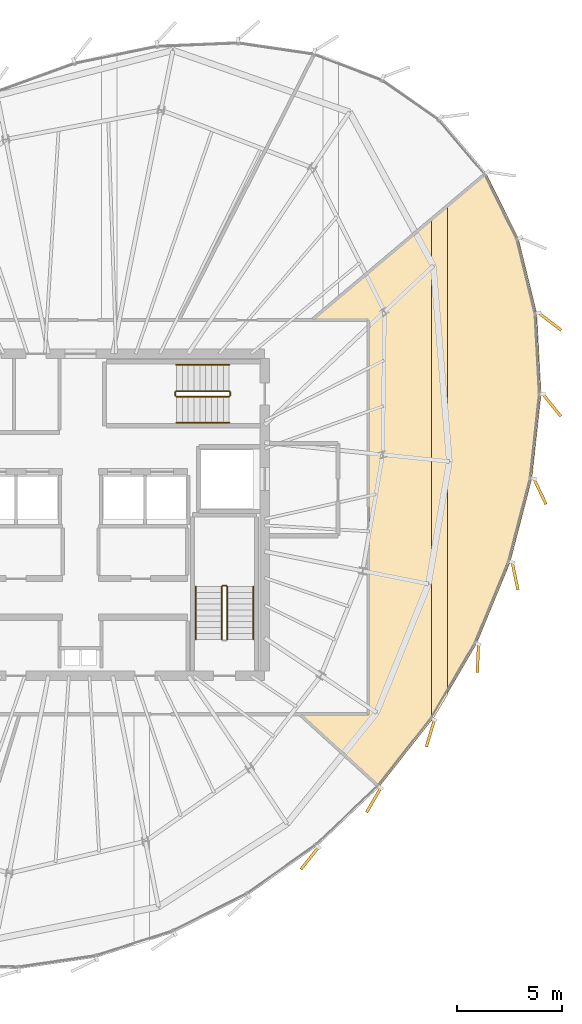
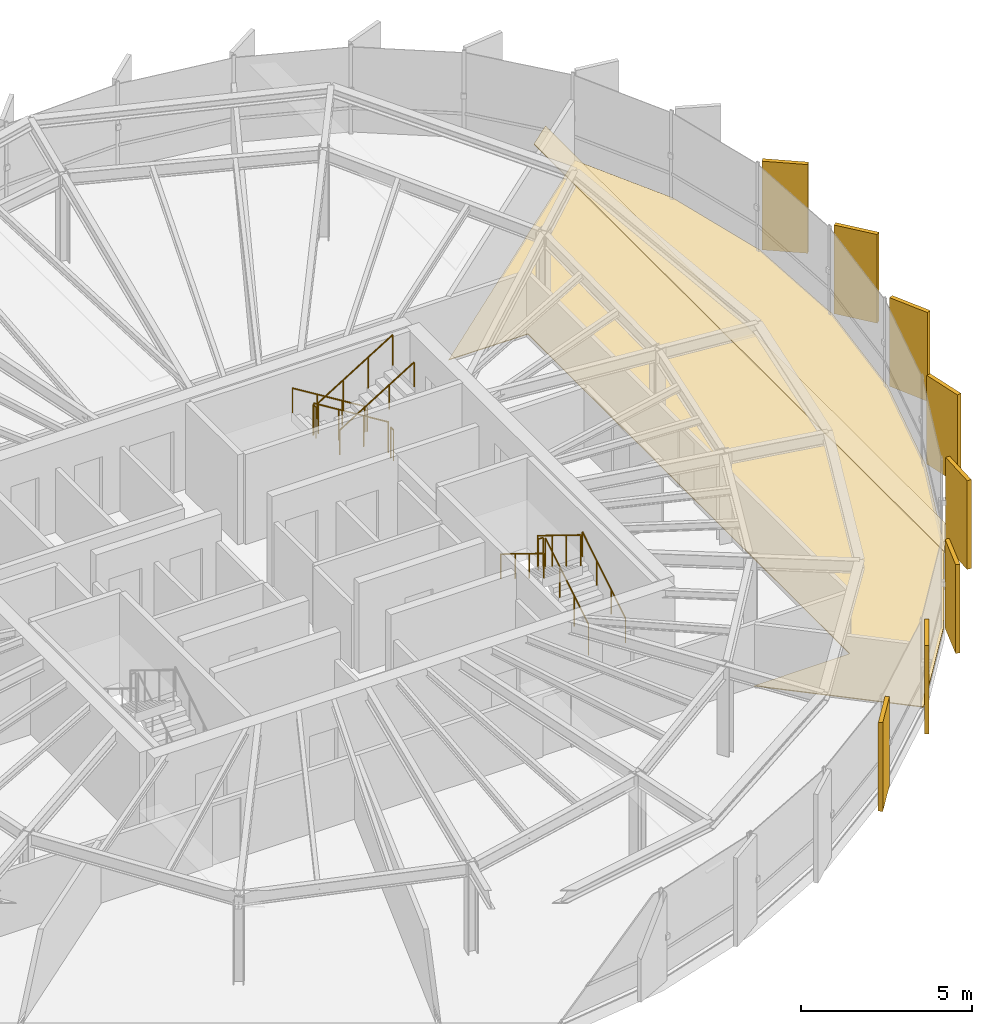
# One storey, part 35 of 36: 11 railings, 10 coverings.
"""IFC4 building model written with IfcOpenShell, lengths in metres."""

from ifc_helpers import new_model, si_unit, direction, frame, origin, origin_2d, place, context, subcontext, project, spatial, polyline, rectangle, circle, outline, extrude, source, transform, mapped, material, layer, layer_set, type_object, element, save


model = new_model("IFC4")

# Units and contexts
model_context = context("Model", 3, precision=1e-05, world=origin(), true_north=direction((0.0, 1.0)))
body_context = subcontext(model_context, "Body", "Model", "MODEL_VIEW")
ifc_project = project(units=[si_unit("LENGTHUNIT", "METRE"), si_unit("AREAUNIT", "SQUARE_METRE"), si_unit("VOLUMEUNIT", "CUBIC_METRE"), si_unit("PLANEANGLEUNIT", "RADIAN"), si_unit("MASSUNIT", "GRAM", prefix="KILO"), si_unit("THERMODYNAMICTEMPERATUREUNIT", "KELVIN")], contexts=[model_context])

# Site, building, storey
site_placement = place(None, origin())
site = spatial("IfcSite", under=ifc_project, at=site_placement, CompositionType="ELEMENT")
building_placement = place(site_placement, origin())
building = spatial("IfcBuilding", under=site, at=building_placement, Name="Kethvar Cultural Tower", CompositionType="ELEMENT")
storey_placement = place(building_placement, frame((0.0, 0.0, 228.39990234375)))
storey = spatial("IfcBuildingStorey", under=building, at=storey_placement, Name="L59", CompositionType="ELEMENT", Elevation=228.39990234375)

# Coverings
ifc_material_1 = material(Name="Acoustic Mineral Fibre Ceiling")
ifc_layer_1 = layer(ifc_material_1, 0.0400390625, Name="Acoustic Mineral Fibre Ceiling")
ifc_layer_set_1 = layer_set([ifc_layer_1], Name="Acoustic Mineral Fibre Ceiling (40 mm)")
covering_type_1 = type_object("IfcCoveringType", Name="CV-ACOUSTIC-CEIL", PredefinedType="CEILING", material=ifc_layer_set_1)
covering_1_placement = place(storey_placement, frame((0.0, 0.0, 2.780029296875)))
element("IfcCovering", 1, at=covering_1_placement, inside=storey, type_object=covering_type_1, Name="L59 Room 03 Acoustic Ceiling Panel", PredefinedType="CEILING", context=body_context, shape_type="SweptSolid", body=[
    extrude(outline(polyline([(64.32373046875, 19.182861328125), (63.57373046875, 17.931884765625), (63.57373046875, 41.94970703125), (64.32373046875, 42.581298828125), (64.32373046875, 19.182861328125)])), origin(), (0.0, 0.0, 1.0), 0.0400390625),
])
ifc_material_2 = material(Name="Architectural Oak Timber", Category="wood")
ifc_layer_2 = layer(ifc_material_2, 0.02490234375, Name="Architectural Oak Timber", Category="wood")
ifc_layer_set_2 = layer_set([ifc_layer_2], Name="Architectural Oak Timber (25 mm)")
covering_type_2 = type_object("IfcCoveringType", Name="CV-OAK-FLOOR", PredefinedType="FLOORING", material=ifc_layer_set_2)
covering_2_placement = place(storey_placement, origin())
element("IfcCovering", 2, at=covering_2_placement, inside=storey, type_object=covering_type_2, Name="L59 Room 03 Floor Finish", PredefinedType="FLOORING", context=body_context, shape_type="SweptSolid", body=[
    extrude(outline(polyline([(67.71728515625, 40.9873046875), (68.59228515625, 37.420654296875), (68.79833984375, 33.553466796875), (68.359619140625, 29.537109375), (67.316650390625, 25.52392578125), (65.71923828125, 21.656005859375), (63.620361328125, 18.0556640625), (61.08154296875, 14.831787109375), (57.326171875, 18.2490234375), (60.570068359375, 18.26904296875), (60.56982421875, 37.10205078125), (57.89990234375, 37.1201171875), (66.18310546875, 44.094482421875), (67.71728515625, 40.9873046875)])), origin(), (0.0, 0.0, 1.0), 0.025146484375),
])

# Railings
ifc_material_3 = material(Name="Steel S355J2", Category="steel")
railing_type_1 = type_object("IfcRailingType", Name="RL-STAIR-GUARD", PredefinedType="BALUSTRADE", material=ifc_material_3)
railing_1_placement = place(storey_placement, frame((53.81005859375, 21.85009765625, 0.172607421875)))
element("IfcRailing", 3, at=railing_1_placement, inside=storey, type_object=railing_type_1, Name="L59 ST-02 stair guard 1", PredefinedType="BALUSTRADE", context=body_context, shape_type="SweptSolid", body=[
    extrude(circle(Radius=0.02392578125, at=origin_2d()), frame((0.0, 0.0, 1.09619140625), z_axis=(0.0, 0.851400495292, 0.524516154772), x_axis=(-1.0, 0.0, 0.0)), (0.0, 0.0, 1.0), 2.9599609375),
    extrude(circle(Radius=0.02099609375, at=origin_2d()), origin(), (0.0, 0.0, 1.0), 1.072021484375),
    extrude(circle(Radius=0.02099609375, at=origin_2d()), frame((0.0, 0.840087890625, 0.517578125)), (0.0, 0.0, 1.0), 1.072021484375),
    extrude(circle(Radius=0.02099609375, at=origin_2d()), frame((0.0, 1.679931640625, 1.034912109375)), (0.0, 0.0, 1.0), 1.072021484375),
    extrude(circle(Radius=0.02099609375, at=origin_2d()), frame((0.0, 2.52001953125, 1.552490234375)), (0.0, 0.0, 1.0), 1.072021484375),
])
railing_2_placement = place(storey_placement, frame((53.760009765625, 24.419921875, 1.72509765625)))
element("IfcRailing", 4, at=railing_2_placement, inside=storey, type_object=railing_type_1, Name="L59 ST-02 stair guard 2", PredefinedType="BALUSTRADE", context=body_context, shape_type="SweptSolid", body=[
    extrude(circle(Radius=0.02392578125, at=origin_2d()), frame((0.0, 0.0, 1.09619140625), z_axis=(-1.0, 0.0, 0.0), x_axis=(0.0, -1.0, 0.0)), (0.0, 0.0, 1.0), 0.159912109375),
    extrude(circle(Radius=0.02099609375, at=origin_2d()), origin(), (0.0, 0.0, 1.0), 1.072021484375),
    extrude(circle(Radius=0.02099609375, at=origin_2d()), frame((-0.159912109375, 0.0, 0.0)), (0.0, 0.0, 1.0), 1.072021484375),
])
railing_3_placement = place(storey_placement, frame((53.550048828125, 24.3701171875, 1.897705078125)))
element("IfcRailing", 5, at=railing_3_placement, inside=storey, type_object=railing_type_1, Name="L59 ST-02 stair guard 3", PredefinedType="BALUSTRADE", context=body_context, shape_type="SweptSolid", body=[
    extrude(circle(Radius=0.02392578125, at=origin_2d()), frame((0.0, 0.0, 1.09619140625), z_axis=(0.0, -0.851400495292, 0.524516154772), x_axis=(1.0, 0.0, 0.0)), (0.0, 0.0, 1.0), 2.9599609375),
    extrude(circle(Radius=0.02099609375, at=origin_2d()), origin(), (0.0, 0.0, 1.0), 1.072021484375),
    extrude(circle(Radius=0.02099609375, at=origin_2d()), frame((0.0, -0.840087890625, 0.517578125)), (0.0, 0.0, 1.0), 1.072021484375),
    extrude(circle(Radius=0.02099609375, at=origin_2d()), frame((0.0, -1.679931640625, 1.034912109375)), (0.0, 0.0, 1.0), 1.072021484375),
    extrude(circle(Radius=0.02099609375, at=origin_2d()), frame((0.0, -2.52001953125, 1.552490234375)), (0.0, 0.0, 1.0), 1.072021484375),
])
railing_4_placement = place(storey_placement, frame((53.89990234375, 33.7099609375, 0.172607421875)))
element("IfcRailing", 6, at=railing_4_placement, inside=storey, type_object=railing_type_1, Name="L59 ST-03 stair guard 1", PredefinedType="BALUSTRADE", context=body_context, shape_type="SweptSolid", body=[
    extrude(circle(Radius=0.02392578125, at=origin_2d()), frame((0.0, 0.0, 1.09619140625), z_axis=(-0.851400495292, 0.0, 0.524516154772), x_axis=(0.0, -1.0, 0.0)), (0.0, 0.0, 1.0), 2.9599609375),
    extrude(circle(Radius=0.02099609375, at=origin_2d()), origin(), (0.0, 0.0, 1.0), 1.072021484375),
    extrude(circle(Radius=0.02099609375, at=origin_2d()), frame((-0.840087890625, 0.0, 0.517578125)), (0.0, 0.0, 1.0), 1.072021484375),
    extrude(circle(Radius=0.02099609375, at=origin_2d()), frame((-1.679931640625, 0.0, 1.034912109375)), (0.0, 0.0, 1.0), 1.072021484375),
    extrude(circle(Radius=0.02099609375, at=origin_2d()), frame((-2.52001953125, 0.0, 1.552490234375)), (0.0, 0.0, 1.0), 1.072021484375),
])
railing_5_placement = place(storey_placement, frame((51.330078125, 33.659912109375, 1.72509765625)))
element("IfcRailing", 7, at=railing_5_placement, inside=storey, type_object=railing_type_1, Name="L59 ST-03 stair guard 2", PredefinedType="BALUSTRADE", context=body_context, shape_type="SweptSolid", body=[
    extrude(circle(Radius=0.02392578125, at=origin_2d()), frame((0.0, 0.0, 1.09619140625), z_axis=(0.0, -1.0, 0.0), x_axis=(1.0, 0.0, 0.0)), (0.0, 0.0, 1.0), 0.159912109375),
    extrude(circle(Radius=0.02099609375, at=origin_2d()), origin(), (0.0, 0.0, 1.0), 1.072021484375),
    extrude(circle(Radius=0.02099609375, at=origin_2d()), frame((0.0, -0.159912109375, 0.0)), (0.0, 0.0, 1.0), 1.072021484375),
])
railing_6_placement = place(storey_placement, frame((51.3798828125, 33.449951171875, 1.897705078125)))
element("IfcRailing", 8, at=railing_6_placement, inside=storey, type_object=railing_type_1, Name="L59 ST-03 stair guard 3", PredefinedType="BALUSTRADE", context=body_context, shape_type="SweptSolid", body=[
    extrude(circle(Radius=0.02392578125, at=origin_2d()), frame((0.0, 0.0, 1.09619140625), z_axis=(0.851400495292, 0.0, 0.524516154772), x_axis=(0.0, 1.0, 0.0)), (0.0, 0.0, 1.0), 2.9599609375),
    extrude(circle(Radius=0.02099609375, at=origin_2d()), origin(), (0.0, 0.0, 1.0), 1.072021484375),
    extrude(circle(Radius=0.02099609375, at=origin_2d()), frame((0.840087890625, 0.0, 0.517578125)), (0.0, 0.0, 1.0), 1.072021484375),
    extrude(circle(Radius=0.02099609375, at=origin_2d()), frame((1.679931640625, 0.0, 1.034912109375)), (0.0, 0.0, 1.0), 1.072021484375),
    extrude(circle(Radius=0.02099609375, at=origin_2d()), frame((2.52001953125, 0.0, 1.552490234375)), (0.0, 0.0, 1.0), 1.072021484375),
])
railing_7_placement = place(storey_placement, frame((53.949951171875, 33.659912109375, 0.0)))
element("IfcRailing", 9, at=railing_7_placement, inside=storey, type_object=railing_type_1, Name="L59 ST-03 stair guard 4", PredefinedType="BALUSTRADE", context=body_context, shape_type="SweptSolid", body=[
    extrude(circle(Radius=0.02392578125, at=origin_2d()), frame((0.0, 0.0, 1.09619140625), z_axis=(0.0, -1.0, 0.0), x_axis=(1.0, 0.0, 0.0)), (0.0, 0.0, 1.0), 0.159912109375),
    extrude(circle(Radius=0.02099609375, at=origin_2d()), origin(), (0.0, 0.0, 1.0), 1.072021484375),
    extrude(circle(Radius=0.02099609375, at=origin_2d()), frame((0.0, -0.159912109375, 0.0)), (0.0, 0.0, 1.0), 1.072021484375),
])
railing_type_2 = type_object("IfcRailingType", Name="RL-STAIR-HANDRAIL", PredefinedType="HANDRAIL", material=ifc_material_3)
railing_8_placement = place(storey_placement, frame((55.06005859375, 21.85009765625, 0.172607421875)))
element("IfcRailing", 10, at=railing_8_placement, inside=storey, type_object=railing_type_2, Name="L59 ST-02 stair handrail 1", PredefinedType="HANDRAIL", context=body_context, shape_type="SweptSolid", body=[
    extrude(circle(Radius=0.02392578125, at=origin_2d()), frame((0.0, 0.0, 0.8759765625), z_axis=(0.0, 0.851400495292, 0.524516154772), x_axis=(-1.0, 0.0, 0.0)), (0.0, 0.0, 1.0), 2.9599609375),
    extrude(circle(Radius=0.02099609375, at=origin_2d()), origin(), (0.0, 0.0, 1.0), 0.851806640625),
    extrude(circle(Radius=0.02099609375, at=origin_2d()), frame((0.0, 0.840087890625, 0.517578125)), (0.0, 0.0, 1.0), 0.851806640625),
    extrude(circle(Radius=0.02099609375, at=origin_2d()), frame((0.0, 1.679931640625, 1.034912109375)), (0.0, 0.0, 1.0), 0.851806640625),
    extrude(circle(Radius=0.02099609375, at=origin_2d()), frame((0.0, 2.52001953125, 1.552490234375)), (0.0, 0.0, 1.0), 0.851806640625),
])
railing_9_placement = place(storey_placement, frame((52.300048828125, 24.3701171875, 1.897705078125)))
element("IfcRailing", 11, at=railing_9_placement, inside=storey, type_object=railing_type_2, Name="L59 ST-02 stair handrail 2", PredefinedType="HANDRAIL", context=body_context, shape_type="SweptSolid", body=[
    extrude(circle(Radius=0.02392578125, at=origin_2d()), frame((0.0, 0.0, 0.8759765625), z_axis=(0.0, -0.851400495292, 0.524516154772), x_axis=(1.0, 0.0, 0.0)), (0.0, 0.0, 1.0), 2.9599609375),
    extrude(circle(Radius=0.02099609375, at=origin_2d()), origin(), (0.0, 0.0, 1.0), 0.851806640625),
    extrude(circle(Radius=0.02099609375, at=origin_2d()), frame((0.0, -0.840087890625, 0.517578125)), (0.0, 0.0, 1.0), 0.851806640625),
    extrude(circle(Radius=0.02099609375, at=origin_2d()), frame((0.0, -1.679931640625, 1.034912109375)), (0.0, 0.0, 1.0), 0.851806640625),
    extrude(circle(Radius=0.02099609375, at=origin_2d()), frame((0.0, -2.52001953125, 1.552490234375)), (0.0, 0.0, 1.0), 0.851806640625),
])
railing_10_placement = place(storey_placement, frame((53.89990234375, 34.9599609375, 0.172607421875)))
element("IfcRailing", 12, at=railing_10_placement, inside=storey, type_object=railing_type_2, Name="L59 ST-03 stair handrail 1", PredefinedType="HANDRAIL", context=body_context, shape_type="SweptSolid", body=[
    extrude(circle(Radius=0.02392578125, at=origin_2d()), frame((0.0, 0.0, 0.8759765625), z_axis=(-0.851400495292, 0.0, 0.524516154772), x_axis=(0.0, -1.0, 0.0)), (0.0, 0.0, 1.0), 2.9599609375),
    extrude(circle(Radius=0.02099609375, at=origin_2d()), origin(), (0.0, 0.0, 1.0), 0.851806640625),
    extrude(circle(Radius=0.02099609375, at=origin_2d()), frame((-0.840087890625, 0.0, 0.517578125)), (0.0, 0.0, 1.0), 0.851806640625),
    extrude(circle(Radius=0.02099609375, at=origin_2d()), frame((-1.679931640625, 0.0, 1.034912109375)), (0.0, 0.0, 1.0), 0.851806640625),
    extrude(circle(Radius=0.02099609375, at=origin_2d()), frame((-2.52001953125, 0.0, 1.552490234375)), (0.0, 0.0, 1.0), 0.851806640625),
])
railing_11_placement = place(storey_placement, frame((51.3798828125, 32.199951171875, 1.897705078125)))
element("IfcRailing", 13, at=railing_11_placement, inside=storey, type_object=railing_type_2, Name="L59 ST-03 stair handrail 2", PredefinedType="HANDRAIL", context=body_context, shape_type="SweptSolid", body=[
    extrude(circle(Radius=0.02392578125, at=origin_2d()), frame((0.0, 0.0, 0.8759765625), z_axis=(0.851400495292, 0.0, 0.524516154772), x_axis=(0.0, 1.0, 0.0)), (0.0, 0.0, 1.0), 2.9599609375),
    extrude(circle(Radius=0.02099609375, at=origin_2d()), origin(), (0.0, 0.0, 1.0), 0.851806640625),
    extrude(circle(Radius=0.02099609375, at=origin_2d()), frame((0.840087890625, 0.0, 0.517578125)), (0.0, 0.0, 1.0), 0.851806640625),
    extrude(circle(Radius=0.02099609375, at=origin_2d()), frame((1.679931640625, 0.0, 1.034912109375)), (0.0, 0.0, 1.0), 0.851806640625),
    extrude(circle(Radius=0.02099609375, at=origin_2d()), frame((2.52001953125, 0.0, 1.552490234375)), (0.0, 0.0, 1.0), 0.851806640625),
])

# Coverings
ifc_material_4 = material(Name="Extruded Architectural Terracotta", Category="masonry")
ifc_layer_3 = layer(ifc_material_4, 0.135009765625, Name="Extruded Architectural Terracotta", Category="masonry")
ifc_layer_set_3 = layer_set([ifc_layer_3], Name="Extruded Architectural Terracotta (135 mm)")
covering_type_3 = type_object("IfcCoveringType", Name="Terracotta Facade Fin FIN-03", PredefinedType="CLADDING", material=ifc_layer_set_3)
shared_shape = source(origin(), body_context, "Body", "SweptSolid", [
    extrude(rectangle(XDim=1.35009765625, YDim=0.135009765625, at=origin_2d()), origin(), (0.0, 0.0, 1.0), 3.169921875),
])
for number, where, z_axis, x_axis, name in (
    (14, (57.749755859375, 11.387451171875, 0.02001953125), (0.0, 0.0, 1.0), (-0.621147780278, -0.783693457326, 0.0), "L59 Vertical Terracotta Fin 5.3"),
    (15, (60.806884765625, 14.169921875, 0.02001953125), (0.0, 0.0, 1.0), (-0.503321604797, -0.864099162217, 0.0), "L59 Vertical Terracotta Fin 5.4"),
    (16, (63.513916015625, 17.357177734375, 0.02001953125), (0.0, 0.0, 1.0), (-0.284851964518, -0.958571519664, 0.0), "L59 Vertical Terracotta Fin 5.5"),
    (17, (65.785400390625, 20.942138671875, 0.02001953125), (0.0, 0.0, 1.0), (-0.038387809088, -0.999262916411, 0.0), "L59 Vertical Terracotta Fin 5.6"),
    (18, (67.561279296875, 24.87158203125, 0.02001953125), (0.0, 0.0, 1.0), (0.206374964291, -0.978472980779, 0.0), "L59 Vertical Terracotta Fin 6.1"),
    (19, (68.748779296875, 28.915283203125, 0.02001953125), (0.0, 0.0, 1.0), (0.429565675827, -0.903035619536, 0.0), "L59 Vertical Terracotta Fin 6.2"),
    (20, (69.321044921875, 33.031005859375, 0.02001953125), (0.0, 0.0, 1.0), (0.626467781687, -0.779447316057, 0.0), "L59 Vertical Terracotta Fin 6.3"),
    (21, (69.224853515625, 37.031005859375, 0.02001953125), (0.0, 0.0, 1.0), (0.792609005996, -0.609730238396, 0.0), "L59 Vertical Terracotta Fin 6.4"),
):
    element("IfcCovering", number, at=place(storey_placement, frame(where, z_axis=z_axis, x_axis=x_axis)), inside=storey, type_object=covering_type_3, Name=name, PredefinedType="CLADDING", context=body_context, shape_type="MappedRepresentation", body=[
        mapped(shared_shape, transform((0.0, 0.0, 0.0), scale=1.0)),
    ])

save(model, "model.ifc")
